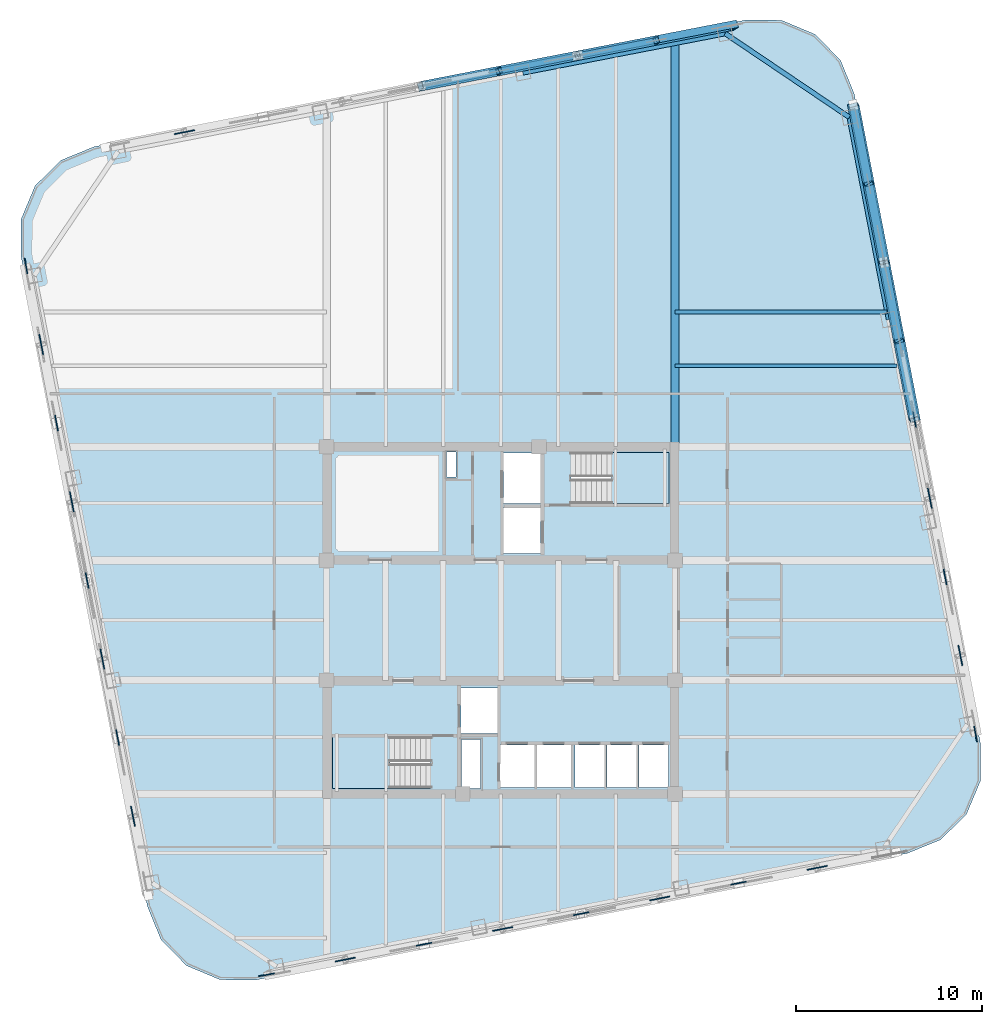
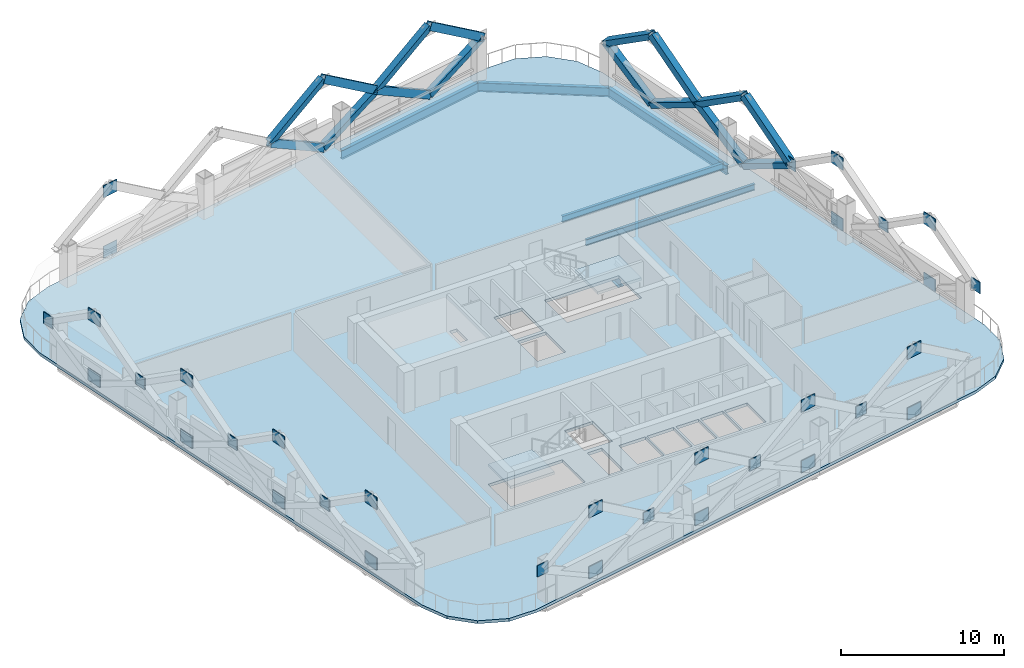
# One storey, part 3 of 10: 33 plates, 16 members, 6 beams, 3 slabs, 2 elements without a shape of their own.
"""IFC4 building model written with IfcOpenShell, lengths in metres."""

from ifc_helpers import new_model, si_unit, direction, frame, origin, origin_2d, place, context, subcontext, project, spatial, polyline, rectangle, hollow_rectangle, i_section, outline, extrude, material, layer, layer_set, material_profile, profile_set, type_object, element, aggregate, save


model = new_model("IFC4")

# Units and contexts
model_context = context("Model", 3, precision=1e-05, world=origin(), true_north=direction((0.0, 1.0)))
body_context = subcontext(model_context, "Body", "Model", "MODEL_VIEW")
ifc_project = project(units=[si_unit("LENGTHUNIT", "METRE"), si_unit("AREAUNIT", "SQUARE_METRE"), si_unit("VOLUMEUNIT", "CUBIC_METRE"), si_unit("PLANEANGLEUNIT", "RADIAN"), si_unit("MASSUNIT", "GRAM", prefix="KILO")], contexts=[model_context])

# Site, building, storey
site_placement = place(None, origin())
site = spatial("IfcSite", under=ifc_project, at=site_placement, CompositionType="ELEMENT")
building_placement = place(site_placement, origin())
building = spatial("IfcBuilding", under=site, at=building_placement, Name="Qhalaya Broadcast Tower", CompositionType="ELEMENT")
storey_placement = place(building_placement, frame((0.0, 0.0, 118.89990234375)))
storey = spatial("IfcBuildingStorey", under=building, at=storey_placement, Name="L34", CompositionType="ELEMENT", Elevation=118.89990234375)

# Beams
ifc_material_1 = material(Name="Structural Steel ASTM A992 Grade 50", Category="steel")
ifc_material_profile_1 = material_profile(ifc_material_1, i_section(OverallWidth=0.19189453125, OverallDepth=0.462890625, WebThickness=0.010498046875, FlangeThickness=0.017578125, at=origin_2d()), Name="W18X60")
ifc_profile_set_1 = profile_set([ifc_material_profile_1], Name="Structural Steel ASTM A992 Grade 50")
beam_type_1 = type_object("IfcBeamType", Name="Composite Floor Joist J03", PredefinedType="JOIST", material=ifc_profile_set_1)
beam_1_placement = place(storey_placement, frame((9.375, 14.300048828125, -0.451416015625), z_axis=(1.0, 0.0, 0.0), x_axis=(0.0, 1.0, 0.0)))
element("IfcBeam", 1, at=beam_1_placement, inside=storey, type_object=beam_type_1, Name="L34 J03 L34-JWE6E-1", PredefinedType="JOIST", context=body_context, shape_type="SweptSolid", body=[
    extrude(i_section(OverallWidth=0.19189453125, OverallDepth=0.462890625, WebThickness=0.010498046875, FlangeThickness=0.017578125, at=origin_2d()), origin(), (0.0, 0.0, 1.0), 11.969482421875),
])
beam_2_placement = place(storey_placement, frame((9.375, 17.199951171875, -0.451416015625), z_axis=(1.0, 0.0, 0.0), x_axis=(0.0, 1.0, 0.0)))
element("IfcBeam", 2, at=beam_2_placement, inside=storey, type_object=beam_type_1, Name="L34 J03 L34-JWE7E-1", PredefinedType="JOIST", context=body_context, shape_type="SweptSolid", body=[
    extrude(i_section(OverallWidth=0.19189453125, OverallDepth=0.462890625, WebThickness=0.010498046875, FlangeThickness=0.017578125, at=origin_2d()), origin(), (0.0, 0.0, 1.0), 11.40576171875),
])

# Members
ifc_material_2 = material(Name="Structural Steel ASTM A572 Grade 50", Category="steel")
ifc_material_profile_2 = material_profile(ifc_material_2, hollow_rectangle(XDim=0.419921875, YDim=0.550048828125, WallThickness=0.028076171875, at=origin_2d()), Name="BOX 420x550x28")
ifc_profile_set_2 = profile_set([ifc_material_profile_2], Name="Structural Steel ASTM A572 Grade 50")
member_type = type_object("IfcMemberType", Name="Exoskeleton Diamond Diagonal Mid-Low EX2", PredefinedType="BRACE", material=ifc_profile_set_2)
member_1_placement = place(storey_placement, frame((21.4501953125, 15.642578125, 0.360107421875), z_axis=(0.167902203124, -0.863618006517, 0.475365952719), x_axis=(-0.276355899211, 0.421640895738, 0.863623976052)))
element("IfcMember", 3, at=member_1_placement, inside=storey, type_object=member_type, Name="B3 Exoskeleton Diamond Brace E3-D1", PredefinedType="BRACE", context=body_context, shape_type="SweptSolid", body=[
    extrude(hollow_rectangle(XDim=0.419921875, YDim=0.550048828125, WallThickness=0.028076171875, at=origin_2d()), origin(), (0.0, 0.0, 1.0), 4.901611328125),
])
member_2_placement = place(storey_placement, frame((21.4501953125, 15.642578125, 0.360107421875), z_axis=(-0.16784657874, 0.863637885863, 0.47534947997), x_axis=(0.276324827587, -0.421643364625, 0.863632712863)))
element("IfcMember", 4, at=member_2_placement, inside=storey, type_object=member_type, Name="B3 Exoskeleton Diamond Brace E3-D2", PredefinedType="BRACE", context=body_context, shape_type="SweptSolid", body=[
    extrude(hollow_rectangle(XDim=0.419921875, YDim=0.550048828125, WallThickness=0.028076171875, at=origin_2d()), origin(), (0.0, 0.0, 1.0), 4.90185546875),
])
member_3_placement = place(storey_placement, frame((22.273193359375, 11.409423828125, 2.690185546875), z_axis=(-0.15989747616, 0.822445072423, 0.545909241509), x_axis=(0.289571306731, -0.489615369484, 0.822450757361)))
element("IfcMember", 5, at=member_3_placement, inside=storey, type_object=member_type, Name="B3 Exoskeleton Diamond Brace E3-D3", PredefinedType="BRACE", context=body_context, shape_type="SweptSolid", body=[
    extrude(hollow_rectangle(XDim=0.419921875, YDim=0.550048828125, WallThickness=0.028076171875, at=origin_2d()), origin(), (0.0, 0.0, 1.0), 5.14697265625),
])
member_4_placement = place(storey_placement, frame((20.62744140625, 19.8759765625, 2.690185546875), z_axis=(0.159845019217, -0.822466656744, 0.545892084917), x_axis=(-0.289535595257, 0.489618056435, 0.822461730351)))
element("IfcMember", 6, at=member_4_placement, inside=storey, type_object=member_type, Name="B3 Exoskeleton Diamond Brace E3-D4", PredefinedType="BRACE", context=body_context, shape_type="SweptSolid", body=[
    extrude(hollow_rectangle(XDim=0.419921875, YDim=0.550048828125, WallThickness=0.028076171875, at=origin_2d()), origin(), (0.0, 0.0, 1.0), 5.147216796875),
])
member_5_placement = place(storey_placement, frame((19.804443359375, 24.109375, 0.360107421875), z_axis=(0.167894981079, -0.863630665056, 0.475345505611), x_axis=(-0.276347513602, 0.421624178814, 0.863634820723)))
element("IfcMember", 7, at=member_5_placement, inside=storey, type_object=member_type, Name="B3 Exoskeleton Diamond Brace E4-D1", PredefinedType="BRACE", context=body_context, shape_type="SweptSolid", body=[
    extrude(hollow_rectangle(XDim=0.419921875, YDim=0.550048828125, WallThickness=0.028076171875, at=origin_2d()), origin(), (0.0, 0.0, 1.0), 4.90185546875),
])
member_6_placement = place(storey_placement, frame((19.804443359375, 24.109375, 0.360107421875), z_axis=(-0.167853798825, 0.86362522784, 0.475369927591), x_axis=(0.276333211151, -0.421660083323, 0.863621867803)))
element("IfcMember", 8, at=member_6_placement, inside=storey, type_object=member_type, Name="B3 Exoskeleton Diamond Brace E4-D2", PredefinedType="BRACE", context=body_context, shape_type="SweptSolid", body=[
    extrude(hollow_rectangle(XDim=0.419921875, YDim=0.550048828125, WallThickness=0.028076171875, at=origin_2d()), origin(), (0.0, 0.0, 1.0), 4.901611328125),
])
member_7_placement = place(storey_placement, frame((20.62744140625, 19.8759765625, 2.690185546875), z_axis=(-0.159891238546, 0.82246042017, 0.545887945544), x_axis=(0.28956202773, -0.489597977384, 0.822464377732)))
element("IfcMember", 9, at=member_7_placement, inside=storey, type_object=member_type, Name="B3 Exoskeleton Diamond Brace E4-D3", PredefinedType="BRACE", context=body_context, shape_type="SweptSolid", body=[
    extrude(hollow_rectangle(XDim=0.419921875, YDim=0.550048828125, WallThickness=0.028076171875, at=origin_2d()), origin(), (0.0, 0.0, 1.0), 5.147216796875),
])
member_8_placement = place(storey_placement, frame((18.981689453125, 28.342529296875, 2.690185546875), z_axis=(0.159851255123, -0.822451309368, 0.545913381366), x_axis=(-0.28954487197, 0.489635450369, 0.822448109523)))
element("IfcMember", 10, at=member_8_placement, inside=storey, type_object=member_type, Name="B3 Exoskeleton Diamond Brace E4-D4", PredefinedType="BRACE", context=body_context, shape_type="SweptSolid", body=[
    extrude(hollow_rectangle(XDim=0.419921875, YDim=0.550048828125, WallThickness=0.028076171875, at=origin_2d()), origin(), (0.0, 0.0, 1.0), 5.14697265625),
])
for number, where, z_axis, x_axis, name in (
    (11, (8.370361328125, 31.82177734375, 0.360107421875), (0.86362522784, 0.167853798825, 0.475369927591), (-0.276322709835, 0.946290155626, 0.167871085642), "B3 Exoskeleton Diamond Brace N1-D1"),
    (12, (8.370361328125, 31.82177734375, 0.360107421875), (-0.863618006517, -0.167902203124, 0.475365952719), (0.276374553568, -0.946274942687, 0.167871495444), "B3 Exoskeleton Diamond Brace N1-D2"),
):
    element("IfcMember", number, at=place(storey_placement, frame(where, z_axis=z_axis, x_axis=x_axis)), inside=storey, type_object=member_type, Name=name, PredefinedType="BRACE", context=body_context, shape_type="SweptSolid", body=[
        extrude(hollow_rectangle(XDim=0.419921875, YDim=0.550048828125, WallThickness=0.028076171875, at=origin_2d()), origin(), (0.0, 0.0, 1.0), 4.901611328125),
    ])
for number, where, z_axis, x_axis, name in (
    (13, (12.603515625, 32.64453125, 2.690185546875), (-0.822451309368, -0.159851255123, 0.545913381366), (0.289535782695, -0.943722068912, 0.159867717779), "B3 Exoskeleton Diamond Brace N1-D3"),
    (14, (4.13720703125, 30.998779296875, 2.690185546875), (0.822445072423, 0.15989747616, 0.545909241509), (-0.289587452788, 0.943706127688, 0.159868232466), "B3 Exoskeleton Diamond Brace N1-D4"),
):
    element("IfcMember", number, at=place(storey_placement, frame(where, z_axis=z_axis, x_axis=x_axis)), inside=storey, type_object=member_type, Name=name, PredefinedType="BRACE", context=body_context, shape_type="SweptSolid", body=[
        extrude(hollow_rectangle(XDim=0.419921875, YDim=0.550048828125, WallThickness=0.028076171875, at=origin_2d()), origin(), (0.0, 0.0, 1.0), 5.14697265625),
    ])
for number, where, z_axis, x_axis, name in (
    (15, (-0.09619140625, 30.176025390625, 0.360107421875), (0.863637885863, 0.16784657874, 0.47534947997), (-0.276308659238, 0.946293884406, 0.167873193708), "B3 Exoskeleton Diamond Brace N2-D1"),
    (16, (-0.09619140625, 30.176025390625, 0.360107421875), (-0.863630665056, -0.167894981079, 0.475345505611), (0.276360500461, -0.946278673042, 0.167873603434), "B3 Exoskeleton Diamond Brace N2-D2"),
):
    element("IfcMember", number, at=place(storey_placement, frame(where, z_axis=z_axis, x_axis=x_axis)), inside=storey, type_object=member_type, Name=name, PredefinedType="BRACE", context=body_context, shape_type="SweptSolid", body=[
        extrude(hollow_rectangle(XDim=0.419921875, YDim=0.550048828125, WallThickness=0.028076171875, at=origin_2d()), origin(), (0.0, 0.0, 1.0), 4.90185546875),
    ])
for number, where, z_axis, x_axis, name in (
    (17, (4.13720703125, 30.998779296875, 2.690185546875), (-0.822466656744, -0.159845019217, 0.545892084917), (0.289521600846, -0.943725971302, 0.1598703654), "B3 Exoskeleton Diamond Brace N2-D3"),
    (18, (-4.32958984375, 29.35302734375, 2.690185546875), (0.82246042017, 0.159891238546, 0.545887945544), (-0.289573268441, 0.943710031701, 0.159870879998), "B3 Exoskeleton Diamond Brace N2-D4"),
):
    element("IfcMember", number, at=place(storey_placement, frame(where, z_axis=z_axis, x_axis=x_axis)), inside=storey, type_object=member_type, Name=name, PredefinedType="BRACE", context=body_context, shape_type="SweptSolid", body=[
        extrude(hollow_rectangle(XDim=0.419921875, YDim=0.550048828125, WallThickness=0.028076171875, at=origin_2d()), origin(), (0.0, 0.0, 1.0), 5.147216796875),
    ])

# Beams
ifc_material_profile_3 = material_profile(ifc_material_1, i_section(OverallWidth=0.4189453125, OverallDepth=0.927001953125, WebThickness=0.019287109375, FlangeThickness=0.031982421875, at=origin_2d()), Name="W36X231")
ifc_profile_set_3 = profile_set([ifc_material_profile_3], Name="Structural Steel ASTM A992 Grade 50")
beam_type_2 = type_object("IfcBeamType", Name="Mid Block Primary Girder PG3", PredefinedType="USERDEFINED", material=ifc_profile_set_3)
beam_3_placement = place(storey_placement, frame((9.375, 9.949951171875, -0.683349609375), z_axis=(0.0, 1.0, 0.0), x_axis=(-1.0, 0.0, 0.0)))
element("IfcBeam", 19, at=beam_3_placement, inside=storey, type_object=beam_type_2, Name="L34 PG3 L34-PGXN2-1", ObjectType="GIRDER", PredefinedType="USERDEFINED", context=body_context, shape_type="SweptSolid", body=[
    extrude(i_section(OverallWidth=0.4189453125, OverallDepth=0.927001953125, WebThickness=0.019287109375, FlangeThickness=0.031982421875, at=origin_2d()), origin(), (0.0, 0.0, 1.0), 21.7001953125),
])
ifc_material_profile_4 = material_profile(ifc_material_1, i_section(OverallWidth=0.25390625, OverallDepth=0.68310546875, WebThickness=0.012451171875, FlangeThickness=0.01904296875, at=origin_2d()), Name="W27X94")
ifc_profile_set_4 = profile_set([ifc_material_profile_4], Name="Structural Steel ASTM A992 Grade 50")
beam_type_3 = type_object("IfcBeamType", Name="Perimeter Ring Spandrel Beam SP1", PredefinedType="SPANDREL", material=ifc_profile_set_4)
beam_4_placement = place(storey_placement, frame((20.88037109375, 16.79248046875, -0.5615234375), z_axis=(-0.190800781233, 0.98162878008, 0.0), x_axis=(-0.98162878008, -0.190800781233, 0.0)))
element("IfcBeam", 20, at=beam_4_placement, inside=storey, type_object=beam_type_3, Name="L34 SP1 L34-SPR-07", PredefinedType="SPANDREL", context=body_context, shape_type="SweptSolid", body=[
    extrude(i_section(OverallWidth=0.25390625, OverallDepth=0.68310546875, WebThickness=0.012451171875, FlangeThickness=0.01904296875, at=origin_2d()), origin(), (0.0, 0.0, 1.0), 11.10009765625),
])
beam_5_placement = place(storey_placement, frame((18.762451171875, 27.688720703125, -0.5615234375), z_axis=(-0.829042088473, 0.559186208288, 0.0), x_axis=(-0.559186208288, -0.829042088473, 0.0)))
element("IfcBeam", 21, at=beam_5_placement, inside=storey, type_object=beam_type_3, Name="L34 SP1 L34-SPR-08", PredefinedType="SPANDREL", context=body_context, shape_type="SweptSolid", body=[
    extrude(i_section(OverallWidth=0.25390625, OverallDepth=0.68310546875, WebThickness=0.012451171875, FlangeThickness=0.01904296875, at=origin_2d()), origin(), (0.0, 0.0, 1.0), 8.06103515625),
])
beam_6_placement = place(storey_placement, frame((12.07958984375, 32.1962890625, -0.5615234375), z_axis=(-0.98162878008, -0.190800781233, 0.0), x_axis=(0.190800781233, -0.98162878008, 0.0)))
element("IfcBeam", 22, at=beam_6_placement, inside=storey, type_object=beam_type_3, Name="L34 SP1 L34-SPR-09", PredefinedType="SPANDREL", context=body_context, shape_type="SweptSolid", body=[
    extrude(i_section(OverallWidth=0.25390625, OverallDepth=0.68310546875, WebThickness=0.012451171875, FlangeThickness=0.01904296875, at=origin_2d()), origin(), (0.0, 0.0, 1.0), 11.10009765625),
])

# Plates
ifc_layer_1 = layer(ifc_material_2, 0.054931640625, Name="Structural Steel ASTM A572 Grade 50")
ifc_layer_set_1 = layer_set([ifc_layer_1], Name="Structural Steel ASTM A572 Grade 50")
plate_type = type_object("IfcPlateType", Name="Exoskeleton Diamond Node Gusset Plate NP-01", PredefinedType="USERDEFINED", material=ifc_layer_set_1)
for number, where, z_axis, x_axis, name in (
    (23, (-8.370361328125, -17.66162109375, 0.210205078125), (0.0, 0.0, 1.0), (0.981627183448, 0.190808995377, 0.0), "Exoskeleton Diamond Node B3-S1-BOT"),
    (24, (-8.370361328125, -17.66162109375, 4.750244140625), (0.0, 0.0, 1.0), (0.981627183448, 0.190808995377, 0.0), "Exoskeleton Diamond Node B3-S1-TOP"),
):
    element("IfcPlate", number, at=place(storey_placement, frame(where, z_axis=z_axis, x_axis=x_axis)), inside=storey, type_object=plate_type, Name=name, ObjectType="GUSSET_PLATE", PredefinedType="USERDEFINED", context=body_context, shape_type="SweptSolid", body=[
        extrude(rectangle(XDim=1.10009765625, YDim=0.054931640625, at=origin_2d()), origin(), (0.0, 0.0, 1.0), 0.89990234375),
    ])
plate_1_placement = place(storey_placement, frame((-12.603515625, -18.484619140625, 2.26513671875), z_axis=(0.0, 0.0, 1.0), x_axis=(0.981627183448, 0.190808995377, 0.0)))
element("IfcPlate", 25, at=plate_1_placement, inside=storey, type_object=plate_type, Name="Exoskeleton Diamond Node B3-S1-MDL", ObjectType="GUSSET_PLATE", PredefinedType="USERDEFINED", context=body_context, shape_type="SweptSolid", body=[
    extrude(rectangle(XDim=0.85009765625, YDim=0.054931640625, at=origin_2d()), origin(), (0.0, 0.0, 1.0), 0.85009765625),
])
for number, where, z_axis, x_axis, name in (
    (26, (0.09619140625, -16.01611328125, 0.210205078125), (0.0, 0.0, 1.0), (0.981627183448, 0.190808995377, 0.0), "Exoskeleton Diamond Node B3-S2-BOT"),
    (27, (0.09619140625, -16.01611328125, 4.750244140625), (0.0, 0.0, 1.0), (0.981627183448, 0.190808995377, 0.0), "Exoskeleton Diamond Node B3-S2-TOP"),
):
    element("IfcPlate", number, at=place(storey_placement, frame(where, z_axis=z_axis, x_axis=x_axis)), inside=storey, type_object=plate_type, Name=name, ObjectType="GUSSET_PLATE", PredefinedType="USERDEFINED", context=body_context, shape_type="SweptSolid", body=[
        extrude(rectangle(XDim=1.10009765625, YDim=0.054931640625, at=origin_2d()), origin(), (0.0, 0.0, 1.0), 0.89990234375),
    ])
plate_2_placement = place(storey_placement, frame((-4.13720703125, -16.8388671875, 2.26513671875), z_axis=(0.0, 0.0, 1.0), x_axis=(0.981627183448, 0.190808995377, 0.0)))
element("IfcPlate", 28, at=plate_2_placement, inside=storey, type_object=plate_type, Name="Exoskeleton Diamond Node B3-S2-MDL", ObjectType="GUSSET_PLATE", PredefinedType="USERDEFINED", context=body_context, shape_type="SweptSolid", body=[
    extrude(rectangle(XDim=0.85009765625, YDim=0.054931640625, at=origin_2d()), origin(), (0.0, 0.0, 1.0), 0.85009765625),
])
for number, where, z_axis, x_axis, name in (
    (29, (8.562744140625, -14.370361328125, 0.210205078125), (0.0, 0.0, 1.0), (0.981627183448, 0.190808995377, 0.0), "Exoskeleton Diamond Node B3-S3-BOT"),
    (30, (8.562744140625, -14.370361328125, 4.750244140625), (0.0, 0.0, 1.0), (0.981627183448, 0.190808995377, 0.0), "Exoskeleton Diamond Node B3-S3-TOP"),
):
    element("IfcPlate", number, at=place(storey_placement, frame(where, z_axis=z_axis, x_axis=x_axis)), inside=storey, type_object=plate_type, Name=name, ObjectType="GUSSET_PLATE", PredefinedType="USERDEFINED", context=body_context, shape_type="SweptSolid", body=[
        extrude(rectangle(XDim=1.10009765625, YDim=0.054931640625, at=origin_2d()), origin(), (0.0, 0.0, 1.0), 0.89990234375),
    ])
plate_3_placement = place(storey_placement, frame((4.32958984375, -15.193115234375, 2.26513671875), z_axis=(0.0, 0.0, 1.0), x_axis=(0.981627183448, 0.190808995377, 0.0)))
element("IfcPlate", 31, at=plate_3_placement, inside=storey, type_object=plate_type, Name="Exoskeleton Diamond Node B3-S3-MDL", ObjectType="GUSSET_PLATE", PredefinedType="USERDEFINED", context=body_context, shape_type="SweptSolid", body=[
    extrude(rectangle(XDim=0.85009765625, YDim=0.054931640625, at=origin_2d()), origin(), (0.0, 0.0, 1.0), 0.85009765625),
])
for number, where, z_axis, x_axis, name in (
    (32, (17.029296875, -12.724609375, 0.210205078125), (0.0, 0.0, 1.0), (0.981627183448, 0.190808995377, 0.0), "Exoskeleton Diamond Node B3-S4-BOT"),
    (33, (17.029296875, -12.724609375, 4.750244140625), (0.0, 0.0, 1.0), (0.981627183448, 0.190808995377, 0.0), "Exoskeleton Diamond Node B3-S4-TOP"),
):
    element("IfcPlate", number, at=place(storey_placement, frame(where, z_axis=z_axis, x_axis=x_axis)), inside=storey, type_object=plate_type, Name=name, ObjectType="GUSSET_PLATE", PredefinedType="USERDEFINED", context=body_context, shape_type="SweptSolid", body=[
        extrude(rectangle(XDim=1.10009765625, YDim=0.054931640625, at=origin_2d()), origin(), (0.0, 0.0, 1.0), 0.89990234375),
    ])
plate_4_placement = place(storey_placement, frame((12.7958984375, -13.54736328125, 2.26513671875), z_axis=(0.0, 0.0, 1.0), x_axis=(0.981627183448, 0.190808995377, 0.0)))
element("IfcPlate", 34, at=plate_4_placement, inside=storey, type_object=plate_type, Name="Exoskeleton Diamond Node B3-S4-MDL", ObjectType="GUSSET_PLATE", PredefinedType="USERDEFINED", context=body_context, shape_type="SweptSolid", body=[
    extrude(rectangle(XDim=0.85009765625, YDim=0.054931640625, at=origin_2d()), origin(), (0.0, 0.0, 1.0), 0.85009765625),
])
for number, where, z_axis, x_axis, name in (
    (35, (24.74169921875, -1.290283203125, 0.210205078125), (0.0, 0.0, 1.0), (-0.190808995377, 0.981627183448, 0.0), "Exoskeleton Diamond Node B3-E1-BOT"),
    (36, (24.74169921875, -1.290283203125, 4.750244140625), (0.0, 0.0, 1.0), (-0.190808995377, 0.981627183448, 0.0), "Exoskeleton Diamond Node B3-E1-TOP"),
):
    element("IfcPlate", number, at=place(storey_placement, frame(where, z_axis=z_axis, x_axis=x_axis)), inside=storey, type_object=plate_type, Name=name, ObjectType="GUSSET_PLATE", PredefinedType="USERDEFINED", context=body_context, shape_type="SweptSolid", body=[
        extrude(rectangle(XDim=1.10009765625, YDim=0.054931640625, at=origin_2d()), origin(), (0.0, 0.0, 1.0), 0.89990234375),
    ])
plate_5_placement = place(storey_placement, frame((25.564697265625, -5.523681640625, 2.26513671875), z_axis=(0.0, 0.0, 1.0), x_axis=(-0.190808995377, 0.981627183448, 0.0)))
element("IfcPlate", 37, at=plate_5_placement, inside=storey, type_object=plate_type, Name="Exoskeleton Diamond Node B3-E1-MDL", ObjectType="GUSSET_PLATE", PredefinedType="USERDEFINED", context=body_context, shape_type="SweptSolid", body=[
    extrude(rectangle(XDim=0.85009765625, YDim=0.054931640625, at=origin_2d()), origin(), (0.0, 0.0, 1.0), 0.85009765625),
])
for number, where, z_axis, x_axis, name in (
    (38, (23.095947265625, 7.17626953125, 0.210205078125), (0.0, 0.0, 1.0), (-0.190808995377, 0.981627183448, 0.0), "Exoskeleton Diamond Node B3-E2-BOT"),
    (39, (23.095947265625, 7.17626953125, 4.750244140625), (0.0, 0.0, 1.0), (-0.190808995377, 0.981627183448, 0.0), "Exoskeleton Diamond Node B3-E2-TOP"),
):
    element("IfcPlate", number, at=place(storey_placement, frame(where, z_axis=z_axis, x_axis=x_axis)), inside=storey, type_object=plate_type, Name=name, ObjectType="GUSSET_PLATE", PredefinedType="USERDEFINED", context=body_context, shape_type="SweptSolid", body=[
        extrude(rectangle(XDim=1.10009765625, YDim=0.054931640625, at=origin_2d()), origin(), (0.0, 0.0, 1.0), 0.89990234375),
    ])
for number, where, z_axis, x_axis, name in (
    (40, (23.918701171875, 2.94287109375, 2.26513671875), (0.0, 0.0, 1.0), (-0.190808995377, 0.981627183448, 0.0), "Exoskeleton Diamond Node B3-E2-MDL"),
    (41, (22.273193359375, 11.409423828125, 2.26513671875), (0.0, 0.0, 1.0), (-0.190808995377, 0.981627183448, 0.0), "Exoskeleton Diamond Node B3-E3-MDL"),
):
    element("IfcPlate", number, at=place(storey_placement, frame(where, z_axis=z_axis, x_axis=x_axis)), inside=storey, type_object=plate_type, Name=name, ObjectType="GUSSET_PLATE", PredefinedType="USERDEFINED", context=body_context, shape_type="SweptSolid", body=[
        extrude(rectangle(XDim=0.85009765625, YDim=0.054931640625, at=origin_2d()), origin(), (0.0, 0.0, 1.0), 0.85009765625),
    ])
for number, where, z_axis, x_axis, name in (
    (42, (-17.029296875, 26.884521484375, 0.210205078125), (0.0, 0.0, 1.0), (0.981627183448, 0.190808995377, 0.0), "Exoskeleton Diamond Node B3-N4-BOT"),
    (43, (-17.029296875, 26.884521484375, 4.750244140625), (0.0, 0.0, 1.0), (0.981627183448, 0.190808995377, 0.0), "Exoskeleton Diamond Node B3-N4-TOP"),
    (44, (-24.74169921875, 15.4501953125, 0.210205078125), (0.0, 0.0, 1.0), (-0.190808995377, 0.981627183448, 0.0), "Exoskeleton Diamond Node B3-W1-BOT"),
    (45, (-24.74169921875, 15.4501953125, 4.750244140625), (0.0, 0.0, 1.0), (-0.190808995377, 0.981627183448, 0.0), "Exoskeleton Diamond Node B3-W1-TOP"),
):
    element("IfcPlate", number, at=place(storey_placement, frame(where, z_axis=z_axis, x_axis=x_axis)), inside=storey, type_object=plate_type, Name=name, ObjectType="GUSSET_PLATE", PredefinedType="USERDEFINED", context=body_context, shape_type="SweptSolid", body=[
        extrude(rectangle(XDim=1.10009765625, YDim=0.054931640625, at=origin_2d()), origin(), (0.0, 0.0, 1.0), 0.89990234375),
    ])
plate_6_placement = place(storey_placement, frame((-25.564697265625, 19.68359375, 2.26513671875), z_axis=(0.0, 0.0, 1.0), x_axis=(-0.190808995377, 0.981627183448, 0.0)))
element("IfcPlate", 46, at=plate_6_placement, inside=storey, type_object=plate_type, Name="Exoskeleton Diamond Node B3-W1-MDL", ObjectType="GUSSET_PLATE", PredefinedType="USERDEFINED", context=body_context, shape_type="SweptSolid", body=[
    extrude(rectangle(XDim=0.85009765625, YDim=0.054931640625, at=origin_2d()), origin(), (0.0, 0.0, 1.0), 0.85009765625),
])
for number, where, z_axis, x_axis, name in (
    (47, (-23.095947265625, 6.98388671875, 0.210205078125), (0.0, 0.0, 1.0), (-0.190808995377, 0.981627183448, 0.0), "Exoskeleton Diamond Node B3-W2-BOT"),
    (48, (-23.095947265625, 6.98388671875, 4.750244140625), (0.0, 0.0, 1.0), (-0.190808995377, 0.981627183448, 0.0), "Exoskeleton Diamond Node B3-W2-TOP"),
):
    element("IfcPlate", number, at=place(storey_placement, frame(where, z_axis=z_axis, x_axis=x_axis)), inside=storey, type_object=plate_type, Name=name, ObjectType="GUSSET_PLATE", PredefinedType="USERDEFINED", context=body_context, shape_type="SweptSolid", body=[
        extrude(rectangle(XDim=1.10009765625, YDim=0.054931640625, at=origin_2d()), origin(), (0.0, 0.0, 1.0), 0.89990234375),
    ])
plate_7_placement = place(storey_placement, frame((-23.918701171875, 11.217041015625, 2.26513671875), z_axis=(0.0, 0.0, 1.0), x_axis=(-0.190808995377, 0.981627183448, 0.0)))
element("IfcPlate", 49, at=plate_7_placement, inside=storey, type_object=plate_type, Name="Exoskeleton Diamond Node B3-W2-MDL", ObjectType="GUSSET_PLATE", PredefinedType="USERDEFINED", context=body_context, shape_type="SweptSolid", body=[
    extrude(rectangle(XDim=0.85009765625, YDim=0.054931640625, at=origin_2d()), origin(), (0.0, 0.0, 1.0), 0.85009765625),
])
for number, where, z_axis, x_axis, name in (
    (50, (-21.4501953125, -1.482666015625, 0.210205078125), (0.0, 0.0, 1.0), (-0.190808995377, 0.981627183448, 0.0), "Exoskeleton Diamond Node B3-W3-BOT"),
    (51, (-21.4501953125, -1.482666015625, 4.750244140625), (0.0, 0.0, 1.0), (-0.190808995377, 0.981627183448, 0.0), "Exoskeleton Diamond Node B3-W3-TOP"),
):
    element("IfcPlate", number, at=place(storey_placement, frame(where, z_axis=z_axis, x_axis=x_axis)), inside=storey, type_object=plate_type, Name=name, ObjectType="GUSSET_PLATE", PredefinedType="USERDEFINED", context=body_context, shape_type="SweptSolid", body=[
        extrude(rectangle(XDim=1.10009765625, YDim=0.054931640625, at=origin_2d()), origin(), (0.0, 0.0, 1.0), 0.89990234375),
    ])
plate_8_placement = place(storey_placement, frame((-22.273193359375, 2.75048828125, 2.26513671875), z_axis=(0.0, 0.0, 1.0), x_axis=(-0.190808995377, 0.981627183448, 0.0)))
element("IfcPlate", 52, at=plate_8_placement, inside=storey, type_object=plate_type, Name="Exoskeleton Diamond Node B3-W3-MDL", ObjectType="GUSSET_PLATE", PredefinedType="USERDEFINED", context=body_context, shape_type="SweptSolid", body=[
    extrude(rectangle(XDim=0.85009765625, YDim=0.054931640625, at=origin_2d()), origin(), (0.0, 0.0, 1.0), 0.85009765625),
])
for number, where, z_axis, x_axis, name in (
    (53, (-19.804443359375, -9.94921875, 0.210205078125), (0.0, 0.0, 1.0), (-0.190808995377, 0.981627183448, 0.0), "Exoskeleton Diamond Node B3-W4-BOT"),
    (54, (-19.804443359375, -9.94921875, 4.750244140625), (0.0, 0.0, 1.0), (-0.190808995377, 0.981627183448, 0.0), "Exoskeleton Diamond Node B3-W4-TOP"),
):
    element("IfcPlate", number, at=place(storey_placement, frame(where, z_axis=z_axis, x_axis=x_axis)), inside=storey, type_object=plate_type, Name=name, ObjectType="GUSSET_PLATE", PredefinedType="USERDEFINED", context=body_context, shape_type="SweptSolid", body=[
        extrude(rectangle(XDim=1.10009765625, YDim=0.054931640625, at=origin_2d()), origin(), (0.0, 0.0, 1.0), 0.89990234375),
    ])
plate_9_placement = place(storey_placement, frame((-20.62744140625, -5.716064453125, 2.26513671875), z_axis=(0.0, 0.0, 1.0), x_axis=(-0.190808995377, 0.981627183448, 0.0)))
element("IfcPlate", 55, at=plate_9_placement, inside=storey, type_object=plate_type, Name="Exoskeleton Diamond Node B3-W4-MDL", ObjectType="GUSSET_PLATE", PredefinedType="USERDEFINED", context=body_context, shape_type="SweptSolid", body=[
    extrude(rectangle(XDim=0.85009765625, YDim=0.054931640625, at=origin_2d()), origin(), (0.0, 0.0, 1.0), 0.85009765625),
])

# Stair, slab
ifc_material_3 = material(Name="Concrete C40/50", Category="concrete")
stair_type = type_object("IfcStairType", Name="Protected Dogleg Core Stair 3150", PredefinedType="TWO_STRAIGHT_RUN_STAIR", material=ifc_material_3)
stair_1_placement = place(storey_placement, origin())
stair_1 = element("IfcStair", 56, at=stair_1_placement, inside=storey, type_object=stair_type, Name="L34 North Core Exit Stair ST-1", PredefinedType="TWO_STRAIGHT_RUN_STAIR")
ifc_layer_2 = layer(ifc_material_3, 0.199951171875, Name="Concrete C40/50")
ifc_layer_set_2 = layer_set([ifc_layer_2], Name="Concrete C40/50")
slab_type_1 = type_object("IfcSlabType", Name="Stair & Ramp Half-Landing Slab 200", PredefinedType="LANDING", material=ifc_layer_set_2)
slab_1_placement = place(storey_placement, frame((0.0, 0.0, 1.3251953125)))
slab_1 = element("IfcSlab", 57, at=slab_1_placement, type_object=slab_type_1, Name="ST-1 landing 1", PredefinedType="LANDING", context=body_context, shape_type="SweptSolid", body=[
    extrude(outline(polyline([(5.955078125, 6.8798828125), (9.050048828125, 6.8798828125), (9.050048828125, 9.639892578125), (5.955078125, 9.639892578125), (5.955078125, 6.8798828125)])), origin(), (0.0, 0.0, 1.0), 0.199951171875),
])
aggregate(stair_1, [slab_1])

stair_2_placement = place(storey_placement, origin())
stair_2 = element("IfcStair", 58, at=stair_2_placement, inside=storey, type_object=stair_type, Name="L34 South Core Exit Stair ST-2", PredefinedType="TWO_STRAIGHT_RUN_STAIR")
slab_2_placement = place(storey_placement, frame((0.0, 0.0, 1.3251953125)))
slab_2 = element("IfcSlab", 59, at=slab_2_placement, type_object=slab_type_1, Name="ST-2 landing 1", PredefinedType="LANDING", context=body_context, shape_type="SweptSolid", body=[
    extrude(outline(polyline([(-5.955078125, -5.679931640625), (-9.050048828125, -5.679931640625), (-9.050048828125, -8.43994140625), (-5.955078125, -8.43994140625), (-5.955078125, -5.679931640625)])), origin(), (0.0, 0.0, 1.0), 0.199951171875),
])
aggregate(stair_2, [slab_2])

# Slab
ifc_layer_3 = layer(ifc_material_3, 0.219970703125, Name="Concrete C40/50")
ifc_layer_set_3 = layer_set([ifc_layer_3], Name="Concrete C40/50")
slab_type_2 = type_object("IfcSlabType", Name="Tower Composite Floor Slab 220", PredefinedType="FLOOR", material=ifc_layer_set_3)
slab_3_placement = place(storey_placement, frame((0.0, 0.0, -0.219970703125)))
element("IfcSlab", 60, at=slab_3_placement, inside=storey, type_object=slab_type_2, Name="L34 Main Structural Floor Slab", PredefinedType="FLOOR", context=body_context, shape_type="SweptSolid", body=[
    extrude(outline(polyline([(21.882080078125, -11.944091796875), (23.687744140625, -11.20556640625), (25.0732421875, -9.83203125), (25.82763671875, -8.032958984375), (25.836181640625, -6.08203125), (19.024169921875, 28.9619140625), (18.285400390625, 30.767578125), (16.912109375, 32.1533203125), (15.11279296875, 32.90771484375), (13.162109375, 32.916015625), (-21.882080078125, 26.104248046875), (-23.687744140625, 25.365478515625), (-25.0732421875, 23.9921875), (-25.82763671875, 22.19287109375), (-25.836181640625, 20.2421875), (-19.024169921875, -14.802001953125), (-18.285400390625, -16.607666015625), (-16.912109375, -17.9931640625), (-15.11279296875, -18.74755859375), (-13.162109375, -18.756103515625), (21.882080078125, -11.944091796875)]), holes=[polyline([(3.784912109375, 9.639892578125), (9.050048828125, 9.639892578125), (9.050048828125, 6.8798828125), (3.784912109375, 6.8798828125), (3.784912109375, 9.639892578125)]), polyline([(-3.784912109375, -8.43994140625), (-9.050048828125, -8.43994140625), (-9.050048828125, -5.679931640625), (-3.784912109375, -5.679931640625), (-3.784912109375, -8.43994140625)]), polyline([(0.14990234375, 6.64990234375), (2.14990234375, 6.64990234375), (2.14990234375, 4.199951171875), (0.14990234375, 4.199951171875), (0.14990234375, 6.64990234375)]), polyline([(0.14990234375, 9.60009765625), (2.14990234375, 9.60009765625), (2.14990234375, 6.89990234375), (0.14990234375, 6.89990234375), (0.14990234375, 9.60009765625)]), polyline([(-2.14990234375, -3.050048828125), (-0.14990234375, -3.050048828125), (-0.14990234375, -5.5), (-2.14990234375, -5.5), (-2.14990234375, -3.050048828125)]), polyline([(-0.050048828125, -6.10009765625), (1.830078125, -6.10009765625), (1.830078125, -8.39990234375), (-0.050048828125, -8.39990234375), (-0.050048828125, -6.10009765625)]), polyline([(1.949951171875, -6.10009765625), (3.830078125, -6.10009765625), (3.830078125, -8.39990234375), (1.949951171875, -8.39990234375), (1.949951171875, -6.10009765625)]), polyline([(4.0, -6.10009765625), (5.60009765625, -6.10009765625), (5.60009765625, -8.39990234375), (4.0, -8.39990234375), (4.0, -6.10009765625)]), polyline([(5.719970703125, -6.10009765625), (7.320068359375, -6.10009765625), (7.320068359375, -8.39990234375), (5.719970703125, -8.39990234375), (5.719970703125, -6.10009765625)]), polyline([(7.43994140625, -6.10009765625), (9.0400390625, -6.10009765625), (9.0400390625, -8.39990234375), (7.43994140625, -8.39990234375), (7.43994140625, -6.10009765625)]), polyline([(-2.919921875, 9.659912109375), (-2.419921875, 9.659912109375), (-2.419921875, 8.320068359375), (-2.919921875, 8.320068359375), (-2.919921875, 9.659912109375)]), polyline([(-2.1201171875, -5.820068359375), (-1.080078125, -5.820068359375), (-1.080078125, -8.4599609375), (-2.1201171875, -8.4599609375), (-2.1201171875, -5.820068359375)])]), origin(), (0.0, 0.0, 1.0), 0.219970703125),
])

save(model, "model.ifc")
